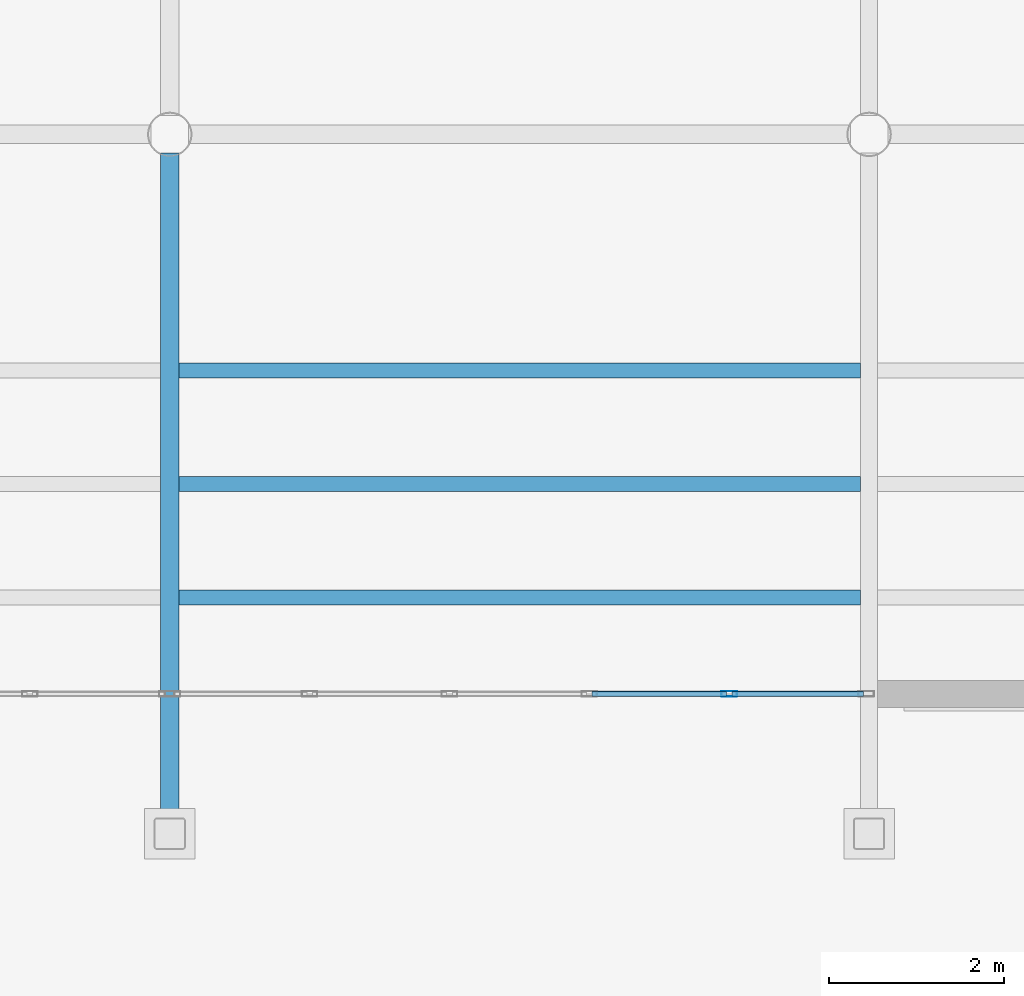
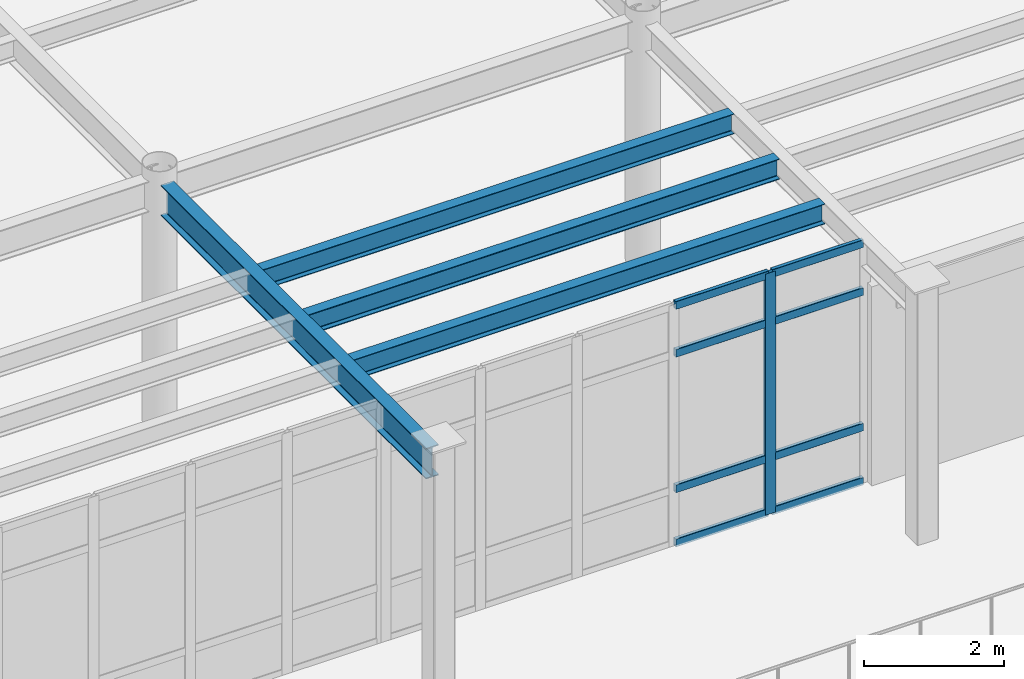
# One storey, part 37 of 111: 9 members, 4 beams, 1 element without a shape of its own.
"""IFC4 building model written with IfcOpenShell, lengths in metres."""

from ifc_helpers import new_model, si_unit, direction, frame, origin, origin_2d, place, context, subcontext, project, spatial, hollow_rectangle, i_section, extrude, material, material_profile, profile_set, type_object, element, aggregate, save


model = new_model("IFC4")

# Units and contexts
model_context = context("Model", 3, precision=1e-05, world=origin(), true_north=direction((0.0, 1.0)))
body_context = subcontext(model_context, "Body", "Model", "MODEL_VIEW")
ifc_project = project(units=[si_unit("LENGTHUNIT", "METRE"), si_unit("AREAUNIT", "SQUARE_METRE"), si_unit("VOLUMEUNIT", "CUBIC_METRE"), si_unit("PLANEANGLEUNIT", "RADIAN"), si_unit("MASSUNIT", "GRAM", prefix="KILO")], contexts=[model_context])

# Site, building, storey
site_placement = place(None, origin())
site = spatial("IfcSite", under=ifc_project, at=site_placement, CompositionType="ELEMENT")
building_placement = place(site_placement, origin())
building = spatial("IfcBuilding", under=site, at=building_placement, Name="Solmirada Galleria", CompositionType="ELEMENT")
storey_placement = place(building_placement, frame((0.0, 0.0, 10.39990234375)))
storey = spatial("IfcBuildingStorey", under=building, at=storey_placement, Name="L02", CompositionType="ELEMENT", Elevation=10.39990234375)

# Beams
ifc_material_1 = material(Name="Steel S355 / ASTM A992 Grade 50", Category="steel")
ifc_material_profile_1 = material_profile(ifc_material_1, i_section(OverallWidth=0.2099609375, OverallDepth=0.537109375, WebThickness=0.010986328125, FlangeThickness=0.017333984375, FilletRadius=0.014892578125, at=origin_2d()), Name="W21X68")
ifc_profile_set_1 = profile_set([ifc_material_profile_1], Name="Steel S355 / ASTM A992 Grade 50")
beam_type_1 = type_object("IfcBeamType", Name="BM-GIRD-W21B", PredefinedType="BEAM", material=ifc_profile_set_1)
beam_1_placement = place(storey_placement, frame((48.0, 80.177978515625, 3.99169921875), z_axis=(0.0, 1.0, 0.0), x_axis=(-1.0, 0.0, 0.0)))
element("IfcBeam", 1, at=beam_1_placement, inside=storey, type_object=beam_type_1, Name="Primary girder L03 Y(48, 80..88)", PredefinedType="BEAM", context=body_context, shape_type="SweptSolid", body=[
    extrude(i_section(OverallWidth=0.2099609375, OverallDepth=0.537109375, WebThickness=0.010986328125, FlangeThickness=0.017333984375, FilletRadius=0.014892578125, at=origin_2d()), origin(), (0.0, 0.0, 1.0), 7.608642578125),
])
ifc_material_profile_2 = material_profile(ifc_material_1, i_section(OverallWidth=0.172119140625, OverallDepth=0.35791015625, WebThickness=0.0078125, FlangeThickness=0.01318359375, FilletRadius=0.011962890625, at=origin_2d()), Name="W14X38")
ifc_profile_set_2 = profile_set([ifc_material_profile_2], Name="Steel S355 / ASTM A992 Grade 50")
beam_type_2 = type_object("IfcBeamType", Name="BM-JST-W14A", PredefinedType="JOIST", material=ifc_profile_set_2)
beam_2_placement = place(storey_placement, frame((48.10498046875, 84.0, 4.0810546875), z_axis=(1.0, 0.0, 0.0), x_axis=(0.0, 1.0, 0.0)))
element("IfcBeam", 2, at=beam_2_placement, inside=storey, type_object=beam_type_2, Name="Composite floor joist L03 (48..56, 84.0)", PredefinedType="JOIST", context=body_context, shape_type="SweptSolid", body=[
    extrude(i_section(OverallWidth=0.172119140625, OverallDepth=0.35791015625, WebThickness=0.0078125, FlangeThickness=0.01318359375, FilletRadius=0.011962890625, at=origin_2d()), origin(), (0.0, 0.0, 1.0), 7.798095703125),
])
ifc_material_profile_3 = material_profile(ifc_material_1, i_section(OverallWidth=0.1708984375, OverallDepth=0.35205078125, WebThickness=0.0068359375, FlangeThickness=0.009765625, FilletRadius=0.010986328125, at=origin_2d()), Name="W14X30")
ifc_profile_set_3 = profile_set([ifc_material_profile_3], Name="Steel S355 / ASTM A992 Grade 50")
beam_type_3 = type_object("IfcBeamType", Name="BM-JST-W14B", PredefinedType="JOIST", material=ifc_profile_set_3)
for number, where, z_axis, x_axis, name in (
    (3, (48.10498046875, 82.699951171875, 4.083984375), (1.0, 0.0, 0.0), (0.0, 1.0, 0.0), "Terrace deck joist L03-TERR-NW X=48..56 (1)"),
    (4, (48.10498046875, 85.300048828125, 4.083984375), (1.0, 0.0, 0.0), (0.0, 1.0, 0.0), "Terrace deck joist L03-TERR-NW X=48..56 (2)"),
):
    element("IfcBeam", number, at=place(storey_placement, frame(where, z_axis=z_axis, x_axis=x_axis)), inside=storey, type_object=beam_type_3, Name=name, PredefinedType="JOIST", context=body_context, shape_type="SweptSolid", body=[
        extrude(i_section(OverallWidth=0.1708984375, OverallDepth=0.35205078125, WebThickness=0.0068359375, FlangeThickness=0.009765625, FilletRadius=0.010986328125, at=origin_2d()), origin(), (0.0, 0.0, 1.0), 7.798095703125),
    ])

# Curtain wall, members
ifc_material_2 = material(Name="Impact-resistant low-E double glazing", Category="glass")
curtain_wall_type = type_object("IfcCurtainWallType", Name="CW-FZ4-L02-B5-L080", PredefinedType="NOTDEFINED", material=ifc_material_2)
curtain_wall_placement = place(storey_placement, origin())
curtain_wall = element("IfcCurtainWall", 5, at=curtain_wall_placement, inside=storey, type_object=curtain_wall_type, Name="Terrace and arcade storefront CW-L02-091", PredefinedType="NOTDEFINED")
ifc_material_3 = material(Name="Anodised aluminium framing", Category="aluminium")
ifc_material_profile_4 = material_profile(ifc_material_3, hollow_rectangle(XDim=0.06494140625, YDim=0.179931640625, WallThickness=0.00390625, InnerFilletRadius=0.00390625, OuterFilletRadius=0.008056640625, at=origin_2d()), Name="ALU-MULL-180X65")
ifc_profile_set_4 = profile_set([ifc_material_profile_4], Name="Anodised aluminium framing")
member_type_1 = type_object("IfcMemberType", Name="CW-MULL-180", PredefinedType="MULLION", material=ifc_profile_set_4)
member_1_placement = place(storey_placement, frame((54.39990234375, 81.60009765625, 0.0), z_axis=(0.0, 0.0, 1.0), x_axis=(0.0, -1.0, 0.0)))
member_1 = element("IfcMember", 6, at=member_1_placement, type_object=member_type_1, Name="CW22 mullion 2", PredefinedType="MULLION", context=body_context, shape_type="SweptSolid", body=[
    extrude(hollow_rectangle(XDim=0.06494140625, YDim=0.179931640625, WallThickness=0.00390625, InnerFilletRadius=0.00390625, OuterFilletRadius=0.008056640625, at=origin_2d()), origin(), (0.0, 0.0, 1.0), 4.22021484375),
])
ifc_material_profile_5 = material_profile(ifc_material_3, hollow_rectangle(XDim=0.06494140625, YDim=0.139892578125, WallThickness=0.00341796875, InnerFilletRadius=0.00341796875, OuterFilletRadius=0.007080078125, at=origin_2d()), Name="ALU-TRAN-140X65")
ifc_profile_set_5 = profile_set([ifc_material_profile_5], Name="Anodised aluminium framing")
member_type_2 = type_object("IfcMemberType", Name="CW-TRAN-140", PredefinedType="USERDEFINED", material=ifc_profile_set_5)
member_2_placement = place(storey_placement, frame((55.93505859375, 81.60009765625, 0.03271484375), z_axis=(-1.0, 0.0, 0.0), x_axis=(0.0, -1.0, 0.0)))
member_2 = element("IfcMember", 7, at=member_2_placement, type_object=member_type_2, Name="CW22 transom 1.1", ObjectType="TRANSOM", PredefinedType="USERDEFINED", context=body_context, shape_type="SweptSolid", body=[
    extrude(hollow_rectangle(XDim=0.06494140625, YDim=0.139892578125, WallThickness=0.00341796875, InnerFilletRadius=0.00341796875, OuterFilletRadius=0.007080078125, at=origin_2d()), origin(), (0.0, 0.0, 1.0), 1.50244140625),
])
member_3_placement = place(storey_placement, frame((55.93505859375, 81.60009765625, 0.97998046875), z_axis=(-1.0, 0.0, 0.0), x_axis=(0.0, -1.0, 0.0)))
member_3 = element("IfcMember", 8, at=member_3_placement, type_object=member_type_2, Name="CW22 transom 1.2", ObjectType="TRANSOM", PredefinedType="USERDEFINED", context=body_context, shape_type="SweptSolid", body=[
    extrude(hollow_rectangle(XDim=0.06494140625, YDim=0.139892578125, WallThickness=0.00341796875, InnerFilletRadius=0.00341796875, OuterFilletRadius=0.007080078125, at=origin_2d()), origin(), (0.0, 0.0, 1.0), 1.50244140625),
])
member_4_placement = place(storey_placement, frame((55.93505859375, 81.60009765625, 3.35009765625), z_axis=(-1.0, 0.0, 0.0), x_axis=(0.0, -1.0, 0.0)))
member_4 = element("IfcMember", 9, at=member_4_placement, type_object=member_type_2, Name="CW22 transom 1.3", ObjectType="TRANSOM", PredefinedType="USERDEFINED", context=body_context, shape_type="SweptSolid", body=[
    extrude(hollow_rectangle(XDim=0.06494140625, YDim=0.139892578125, WallThickness=0.00341796875, InnerFilletRadius=0.00341796875, OuterFilletRadius=0.007080078125, at=origin_2d()), origin(), (0.0, 0.0, 1.0), 1.50244140625),
])
member_5_placement = place(storey_placement, frame((55.93505859375, 81.60009765625, 4.1875), z_axis=(-1.0, 0.0, 0.0), x_axis=(0.0, -1.0, 0.0)))
member_5 = element("IfcMember", 10, at=member_5_placement, type_object=member_type_2, Name="CW22 transom 1.4", ObjectType="TRANSOM", PredefinedType="USERDEFINED", context=body_context, shape_type="SweptSolid", body=[
    extrude(hollow_rectangle(XDim=0.06494140625, YDim=0.139892578125, WallThickness=0.00341796875, InnerFilletRadius=0.00341796875, OuterFilletRadius=0.007080078125, at=origin_2d()), origin(), (0.0, 0.0, 1.0), 1.50244140625),
])
member_6_placement = place(storey_placement, frame((54.367431640625, 81.60009765625, 0.03271484375), z_axis=(-1.0, 0.0, 0.0), x_axis=(0.0, -1.0, 0.0)))
member_6 = element("IfcMember", 11, at=member_6_placement, type_object=member_type_2, Name="CW22 transom 2.1", ObjectType="TRANSOM", PredefinedType="USERDEFINED", context=body_context, shape_type="SweptSolid", body=[
    extrude(hollow_rectangle(XDim=0.06494140625, YDim=0.139892578125, WallThickness=0.00341796875, InnerFilletRadius=0.00341796875, OuterFilletRadius=0.007080078125, at=origin_2d()), origin(), (0.0, 0.0, 1.0), 1.534912109375),
])
member_7_placement = place(storey_placement, frame((54.367431640625, 81.60009765625, 0.97998046875), z_axis=(-1.0, 0.0, 0.0), x_axis=(0.0, -1.0, 0.0)))
member_7 = element("IfcMember", 12, at=member_7_placement, type_object=member_type_2, Name="CW22 transom 2.2", ObjectType="TRANSOM", PredefinedType="USERDEFINED", context=body_context, shape_type="SweptSolid", body=[
    extrude(hollow_rectangle(XDim=0.06494140625, YDim=0.139892578125, WallThickness=0.00341796875, InnerFilletRadius=0.00341796875, OuterFilletRadius=0.007080078125, at=origin_2d()), origin(), (0.0, 0.0, 1.0), 1.534912109375),
])
member_8_placement = place(storey_placement, frame((54.367431640625, 81.60009765625, 3.35009765625), z_axis=(-1.0, 0.0, 0.0), x_axis=(0.0, -1.0, 0.0)))
member_8 = element("IfcMember", 13, at=member_8_placement, type_object=member_type_2, Name="CW22 transom 2.3", ObjectType="TRANSOM", PredefinedType="USERDEFINED", context=body_context, shape_type="SweptSolid", body=[
    extrude(hollow_rectangle(XDim=0.06494140625, YDim=0.139892578125, WallThickness=0.00341796875, InnerFilletRadius=0.00341796875, OuterFilletRadius=0.007080078125, at=origin_2d()), origin(), (0.0, 0.0, 1.0), 1.534912109375),
])
member_9_placement = place(storey_placement, frame((54.367431640625, 81.60009765625, 4.1875), z_axis=(-1.0, 0.0, 0.0), x_axis=(0.0, -1.0, 0.0)))
member_9 = element("IfcMember", 14, at=member_9_placement, type_object=member_type_2, Name="CW22 transom 2.4", ObjectType="TRANSOM", PredefinedType="USERDEFINED", context=body_context, shape_type="SweptSolid", body=[
    extrude(hollow_rectangle(XDim=0.06494140625, YDim=0.139892578125, WallThickness=0.00341796875, InnerFilletRadius=0.00341796875, OuterFilletRadius=0.007080078125, at=origin_2d()), origin(), (0.0, 0.0, 1.0), 1.534912109375),
])
aggregate(curtain_wall, [member_1, member_2, member_3, member_4, member_5, member_6, member_7, member_8, member_9])

save(model, "model.ifc")
